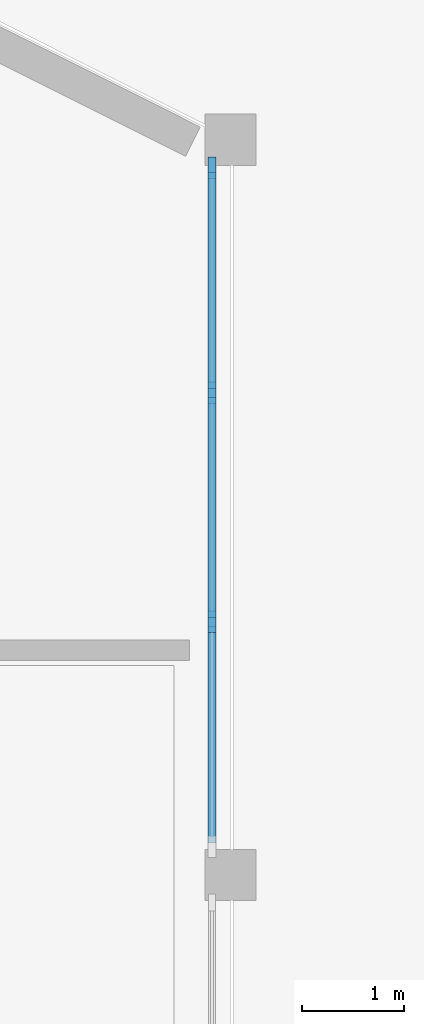
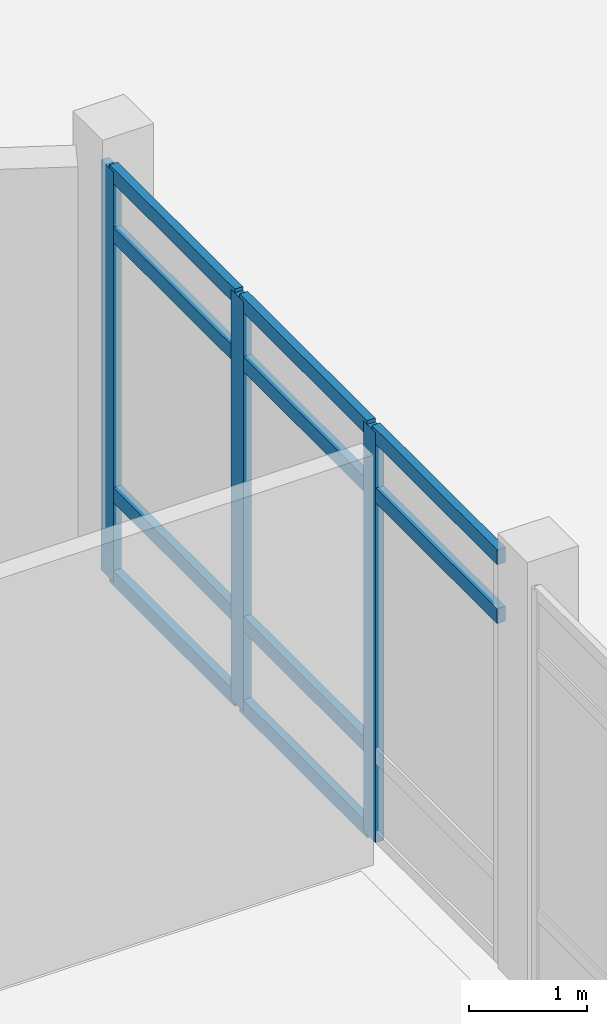
# One storey, part 16 of 58: 13 members, 1 element without a shape of its own.
"""IFC4 building model written with IfcOpenShell, lengths in metres."""

from ifc_helpers import new_model, si_unit, direction, frame, origin, origin_2d, place, context, subcontext, project, spatial, rectangle, extrude, material, layer, layer_set, material_profile, profile_set, type_object, element, aggregate, save


model = new_model("IFC4")

# Units and contexts
model_context = context("Model", 3, precision=1e-05, world=origin(), true_north=direction((0.0, 1.0)))
body_context = subcontext(model_context, "Body", "Model", "MODEL_VIEW")
ifc_project = project(units=[si_unit("LENGTHUNIT", "METRE"), si_unit("AREAUNIT", "SQUARE_METRE"), si_unit("VOLUMEUNIT", "CUBIC_METRE"), si_unit("PLANEANGLEUNIT", "RADIAN"), si_unit("MASSUNIT", "GRAM", prefix="KILO")], contexts=[model_context])

# Site, building, storey
site_placement = place(None, origin())
site = spatial("IfcSite", under=ifc_project, at=site_placement, CompositionType="ELEMENT")
building_placement = place(site_placement, origin())
building = spatial("IfcBuilding", under=site, at=building_placement, Name="Brisavento Harbour Community Centre", CompositionType="ELEMENT")
storey_placement = place(building_placement, origin())
storey = spatial("IfcBuildingStorey", under=building, at=storey_placement, Name="L00", CompositionType="ELEMENT", Elevation=0.0)

# Curtain wall, members
ifc_material = material(Name="Marine-anodised aluminium AW-6063-T6", Category="aluminium")
ifc_layer = layer(ifc_material, 0.179931640625, Name="Marine-anodised aluminium AW-6063-T6")
ifc_layer_set = layer_set([ifc_layer], Name="Marine-anodised aluminium AW-6063-T6")
curtain_wall_type = type_object("IfcCurtainWallType", Name="CW-SYS-16", PredefinedType="USERDEFINED", material=ifc_layer_set)
curtain_wall_placement = place(storey_placement, origin())
curtain_wall = element("IfcCurtainWall", 1, at=curtain_wall_placement, inside=storey, type_object=curtain_wall_type, Name="L00 V5 unitised curtain wall 016", ObjectType="UNITISED CURTAIN WALL", PredefinedType="USERDEFINED")
ifc_material_profile_1 = material_profile(ifc_material, rectangle(XDim=0.080078125, YDim=0.2099609375, at=origin_2d()), Name="Marine-anodised aluminium AW-6063-T6")
ifc_profile_set_1 = profile_set([ifc_material_profile_1], Name="Marine-anodised aluminium AW-6063-T6")
member_type_1 = type_object("IfcMemberType", Name="CWM-04", PredefinedType="MULLION", material=ifc_profile_set_1)
member_1_placement = place(storey_placement, frame((35.820068359375, 100.52490234375, 0.0), z_axis=(0.0, 0.0, 1.0), x_axis=(1.0, 0.0, 0.0)))
member_1 = element("IfcMember", 2, at=member_1_placement, type_object=member_type_1, Name="CW-16 mullion 1", PredefinedType="MULLION", context=body_context, shape_type="SweptSolid", body=[
    extrude(rectangle(XDim=0.080078125, YDim=0.2099609375, at=origin_2d()), origin(), (0.0, 0.0, 1.0), 4.239990234375),
])
member_2_placement = place(storey_placement, frame((35.820068359375, 98.32177734375, 0.0), z_axis=(0.0, 0.0, 1.0), x_axis=(1.0, 0.0, 0.0)))
member_2 = element("IfcMember", 3, at=member_2_placement, type_object=member_type_1, Name="CW-16 mullion 2", PredefinedType="MULLION", context=body_context, shape_type="SweptSolid", body=[
    extrude(rectangle(XDim=0.080078125, YDim=0.2099609375, at=origin_2d()), origin(), (0.0, 0.0, 1.0), 4.239990234375),
])
member_3_placement = place(storey_placement, frame((35.820068359375, 96.078369140625, 0.0), z_axis=(0.0, 0.0, 1.0), x_axis=(1.0, 0.0, 0.0)))
member_3 = element("IfcMember", 4, at=member_3_placement, type_object=member_type_1, Name="CW-16 mullion 3", PredefinedType="MULLION", context=body_context, shape_type="SweptSolid", body=[
    extrude(rectangle(XDim=0.080078125, YDim=0.2099609375, at=origin_2d()), origin(), (0.0, 0.0, 1.0), 4.239990234375),
])
ifc_material_profile_2 = material_profile(ifc_material, rectangle(XDim=0.080078125, YDim=0.155029296875, at=origin_2d()), Name="Marine-anodised aluminium AW-6063-T6")
ifc_profile_set_2 = profile_set([ifc_material_profile_2], Name="Marine-anodised aluminium AW-6063-T6")
member_type_2 = type_object("IfcMemberType", Name="CWT-04", PredefinedType="USERDEFINED", material=ifc_profile_set_2)
member_4_placement = place(storey_placement, frame((35.820068359375, 100.485107421875, 0.0400390625), z_axis=(0.0, -1.0, 0.0), x_axis=(1.0, 0.0, 0.0)))
member_4 = element("IfcMember", 5, at=member_4_placement, type_object=member_type_2, Name="CW-16 transom 1.1", ObjectType="TRANSOM", PredefinedType="USERDEFINED", context=body_context, shape_type="SweptSolid", body=[
    extrude(rectangle(XDim=0.080078125, YDim=0.155029296875, at=origin_2d()), origin(), (0.0, 0.0, 1.0), 2.12353515625),
])
member_5_placement = place(storey_placement, frame((35.820068359375, 100.485107421875, 0.89990234375), z_axis=(0.0, -1.0, 0.0), x_axis=(1.0, 0.0, 0.0)))
member_5 = element("IfcMember", 6, at=member_5_placement, type_object=member_type_2, Name="CW-16 transom 1.2", ObjectType="TRANSOM", PredefinedType="USERDEFINED", context=body_context, shape_type="SweptSolid", body=[
    extrude(rectangle(XDim=0.080078125, YDim=0.155029296875, at=origin_2d()), origin(), (0.0, 0.0, 1.0), 2.12353515625),
])
member_6_placement = place(storey_placement, frame((35.820068359375, 100.485107421875, 3.590087890625), z_axis=(0.0, -1.0, 0.0), x_axis=(1.0, 0.0, 0.0)))
member_6 = element("IfcMember", 7, at=member_6_placement, type_object=member_type_2, Name="CW-16 transom 1.3", ObjectType="TRANSOM", PredefinedType="USERDEFINED", context=body_context, shape_type="SweptSolid", body=[
    extrude(rectangle(XDim=0.080078125, YDim=0.155029296875, at=origin_2d()), origin(), (0.0, 0.0, 1.0), 2.12353515625),
])
member_7_placement = place(storey_placement, frame((35.820068359375, 100.485107421875, 4.199951171875), z_axis=(0.0, -1.0, 0.0), x_axis=(1.0, 0.0, 0.0)))
member_7 = element("IfcMember", 8, at=member_7_placement, type_object=member_type_2, Name="CW-16 transom 1.4", ObjectType="TRANSOM", PredefinedType="USERDEFINED", context=body_context, shape_type="SweptSolid", body=[
    extrude(rectangle(XDim=0.080078125, YDim=0.155029296875, at=origin_2d()), origin(), (0.0, 0.0, 1.0), 2.12353515625),
])
member_8_placement = place(storey_placement, frame((35.820068359375, 98.28173828125, 0.0400390625), z_axis=(0.0, -1.0, 0.0), x_axis=(1.0, 0.0, 0.0)))
member_8 = element("IfcMember", 9, at=member_8_placement, type_object=member_type_2, Name="CW-16 transom 2.1", ObjectType="TRANSOM", PredefinedType="USERDEFINED", context=body_context, shape_type="SweptSolid", body=[
    extrude(rectangle(XDim=0.080078125, YDim=0.155029296875, at=origin_2d()), origin(), (0.0, 0.0, 1.0), 2.163330078125),
])
member_9_placement = place(storey_placement, frame((35.820068359375, 98.28173828125, 0.89990234375), z_axis=(0.0, -1.0, 0.0), x_axis=(1.0, 0.0, 0.0)))
member_9 = element("IfcMember", 10, at=member_9_placement, type_object=member_type_2, Name="CW-16 transom 2.2", ObjectType="TRANSOM", PredefinedType="USERDEFINED", context=body_context, shape_type="SweptSolid", body=[
    extrude(rectangle(XDim=0.080078125, YDim=0.155029296875, at=origin_2d()), origin(), (0.0, 0.0, 1.0), 2.163330078125),
])
member_10_placement = place(storey_placement, frame((35.820068359375, 98.28173828125, 3.590087890625), z_axis=(0.0, -1.0, 0.0), x_axis=(1.0, 0.0, 0.0)))
member_10 = element("IfcMember", 11, at=member_10_placement, type_object=member_type_2, Name="CW-16 transom 2.3", ObjectType="TRANSOM", PredefinedType="USERDEFINED", context=body_context, shape_type="SweptSolid", body=[
    extrude(rectangle(XDim=0.080078125, YDim=0.155029296875, at=origin_2d()), origin(), (0.0, 0.0, 1.0), 2.163330078125),
])
member_11_placement = place(storey_placement, frame((35.820068359375, 98.28173828125, 4.199951171875), z_axis=(0.0, -1.0, 0.0), x_axis=(1.0, 0.0, 0.0)))
member_11 = element("IfcMember", 12, at=member_11_placement, type_object=member_type_2, Name="CW-16 transom 2.4", ObjectType="TRANSOM", PredefinedType="USERDEFINED", context=body_context, shape_type="SweptSolid", body=[
    extrude(rectangle(XDim=0.080078125, YDim=0.155029296875, at=origin_2d()), origin(), (0.0, 0.0, 1.0), 2.163330078125),
])
member_12_placement = place(storey_placement, frame((35.820068359375, 96.038330078125, 3.590087890625), z_axis=(0.0, -1.0, 0.0), x_axis=(1.0, 0.0, 0.0)))
member_12 = element("IfcMember", 13, at=member_12_placement, type_object=member_type_2, Name="CW-16 transom 3.3", ObjectType="TRANSOM", PredefinedType="USERDEFINED", context=body_context, shape_type="SweptSolid", body=[
    extrude(rectangle(XDim=0.080078125, YDim=0.155029296875, at=origin_2d()), origin(), (0.0, 0.0, 1.0), 2.123291015625),
])
member_13_placement = place(storey_placement, frame((35.820068359375, 96.038330078125, 4.199951171875), z_axis=(0.0, -1.0, 0.0), x_axis=(1.0, 0.0, 0.0)))
member_13 = element("IfcMember", 14, at=member_13_placement, type_object=member_type_2, Name="CW-16 transom 3.4", ObjectType="TRANSOM", PredefinedType="USERDEFINED", context=body_context, shape_type="SweptSolid", body=[
    extrude(rectangle(XDim=0.080078125, YDim=0.155029296875, at=origin_2d()), origin(), (0.0, 0.0, 1.0), 2.123291015625),
])
aggregate(curtain_wall, [member_1, member_2, member_3, member_4, member_5, member_6, member_7, member_8, member_9, member_10, member_11, member_12, member_13])

save(model, "model.ifc")
